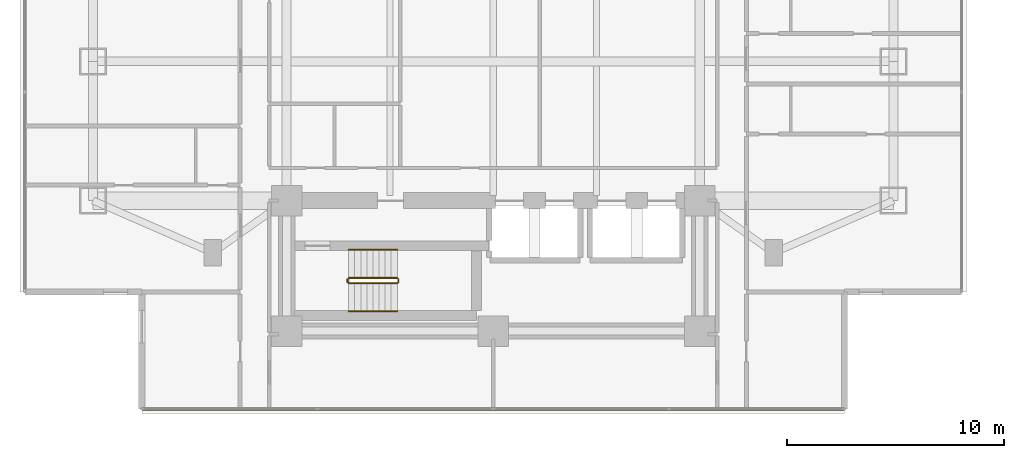
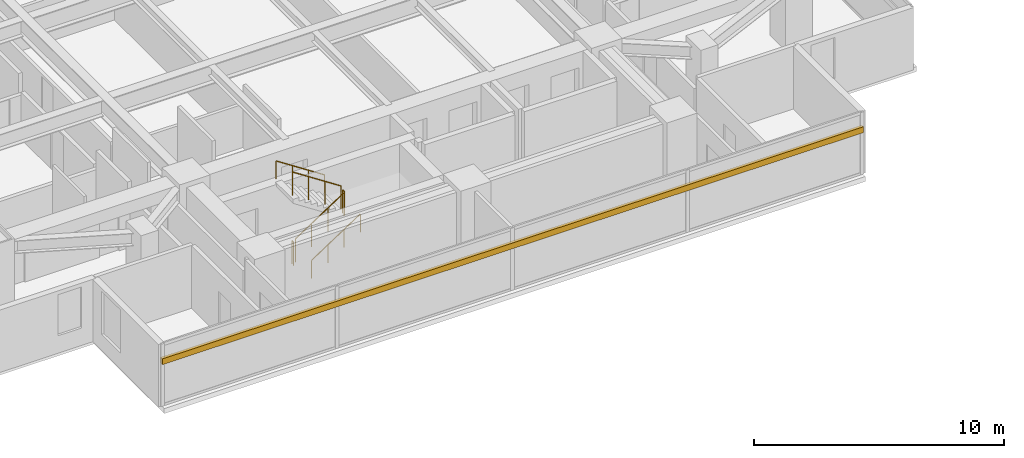
# One storey, part 19 of 23: 6 railings, 1 shading device.
"""IFC4 building model written with IfcOpenShell, lengths in metres."""

from ifc_helpers import new_model, si_unit, direction, frame, origin, origin_2d, place, context, subcontext, project, spatial, rectangle, circle, extrude, material, material_profile, profile_set, type_object, element, save


model = new_model("IFC4")

# Units and contexts
model_context = context("Model", 3, precision=1e-05, world=origin(), true_north=direction((0.0, 1.0)))
body_context = subcontext(model_context, "Body", "Model", "MODEL_VIEW")
ifc_project = project(units=[si_unit("LENGTHUNIT", "METRE"), si_unit("AREAUNIT", "SQUARE_METRE"), si_unit("VOLUMEUNIT", "CUBIC_METRE"), si_unit("PLANEANGLEUNIT", "RADIAN"), si_unit("MASSUNIT", "GRAM", prefix="KILO")], contexts=[model_context])

# Site, building, storey
site_placement = place(None, origin())
site = spatial("IfcSite", under=ifc_project, at=site_placement, CompositionType="ELEMENT")
building_placement = place(site_placement, origin())
building = spatial("IfcBuilding", under=site, at=building_placement, Name="Mirazonda Arch Towers", CompositionType="ELEMENT")
storey_placement = place(building_placement, frame((0.0, 0.0, 29.0)))
storey = spatial("IfcBuildingStorey", under=building, at=storey_placement, Name="L07", CompositionType="ELEMENT", Elevation=29.0)

# Shading device
ifc_material_1 = material(Name="Kiln-Fired Architectural Terracotta", Category="masonry")
ifc_material_profile = material_profile(ifc_material_1, rectangle(XDim=0.139892578125, YDim=0.280029296875, at=origin_2d()), Name="TERRA-BAG-140x280")
ifc_profile_set = profile_set([ifc_material_profile], Name="Kiln-Fired Architectural Terracotta")
shading_device_type = type_object("IfcShadingDeviceType", Name="BAGUETTE-3", PredefinedType="USERDEFINED", material=ifc_profile_set)
shading_device_placement = place(storey_placement, frame((36.659912109375, 8.823974609375, 2.188720703125), z_axis=(-1.0, 0.0, 0.0), x_axis=(0.0, -1.0, 0.0)))
element("IfcShadingDevice", 1, at=shading_device_placement, inside=storey, type_object=shading_device_type, Name="L07 Glazed Terracotta Sun-Screen Baguette CW-L07-T1-S", ObjectType="BAGUETTE", PredefinedType="USERDEFINED", context=body_context, shape_type="SweptSolid", body=[
    extrude(rectangle(XDim=0.139892578125, YDim=0.280029296875, at=origin_2d()), origin(), (0.0, 0.0, 1.0), 32.31982421875),
])

# Railings
ifc_material_2 = material(Name="Architectural Brushed Steel S355", Category="steel")
railing_type_1 = type_object("IfcRailingType", Name="GUARD-STAIR-1120", PredefinedType="GUARDRAIL", material=ifc_material_2)
railing_1_placement = place(storey_placement, frame((13.85009765625, 14.60009765625, 0.183349609375)))
element("IfcRailing", 2, at=railing_1_placement, inside=storey, type_object=railing_type_1, Name="L07 ST-T1S stair guard 1", PredefinedType="GUARDRAIL", context=body_context, shape_type="SweptSolid", body=[
    extrude(circle(Radius=0.02392578125, at=origin_2d()), frame((0.0, 0.0, 1.1259765625), z_axis=(0.836636935527, 0.0, 0.547757827979), x_axis=(0.0, 1.0, 0.0)), (0.0, 0.0, 1.0), 2.677490234375),
    extrude(circle(Radius=0.02099609375, at=origin_2d()), origin(), (0.0, 0.0, 1.0), 1.101806640625),
    extrude(circle(Radius=0.02099609375, at=origin_2d()), frame((0.74658203125, 0.0, 0.48876953125)), (0.0, 0.0, 1.0), 1.101806640625),
    extrude(circle(Radius=0.02099609375, at=origin_2d()), frame((1.493408203125, 0.0, 0.977783203125)), (0.0, 0.0, 1.0), 1.101806640625),
    extrude(circle(Radius=0.02099609375, at=origin_2d()), frame((2.239990234375, 0.0, 1.466552734375)), (0.0, 0.0, 1.0), 1.101806640625),
])
railing_2_placement = place(storey_placement, frame((16.139892578125, 14.64990234375, 1.64990234375)))
element("IfcRailing", 3, at=railing_2_placement, inside=storey, type_object=railing_type_1, Name="L07 ST-T1S stair guard 2", PredefinedType="GUARDRAIL", context=body_context, shape_type="SweptSolid", body=[
    extrude(circle(Radius=0.02392578125, at=origin_2d()), frame((0.0, 0.0, 1.1259765625), z_axis=(0.0, 1.0, 0.0), x_axis=(-1.0, 0.0, 0.0)), (0.0, 0.0, 1.0), 0.14013671875),
    extrude(circle(Radius=0.02099609375, at=origin_2d()), origin(), (0.0, 0.0, 1.0), 1.101806640625),
    extrude(circle(Radius=0.02099609375, at=origin_2d()), frame((0.0, 0.14013671875, 0.0)), (0.0, 0.0, 1.0), 1.101806640625),
])
railing_3_placement = place(storey_placement, frame((16.090087890625, 14.840087890625, 1.833251953125)))
element("IfcRailing", 4, at=railing_3_placement, inside=storey, type_object=railing_type_1, Name="L07 ST-T1S stair guard 3", PredefinedType="GUARDRAIL", context=body_context, shape_type="SweptSolid", body=[
    extrude(circle(Radius=0.02392578125, at=origin_2d()), frame((0.0, 0.0, 1.1259765625), z_axis=(-0.836595146698, 0.0, 0.547821650285), x_axis=(0.0, -1.0, 0.0)), (0.0, 0.0, 1.0), 2.677490234375),
    extrude(circle(Radius=0.02099609375, at=origin_2d()), origin(), (0.0, 0.0, 1.0), 1.101806640625),
    extrude(circle(Radius=0.02099609375, at=origin_2d()), frame((-0.74658203125, 0.0, 0.489013671875)), (0.0, 0.0, 1.0), 1.101806640625),
    extrude(circle(Radius=0.02099609375, at=origin_2d()), frame((-1.493408203125, 0.0, 0.977783203125)), (0.0, 0.0, 1.0), 1.101806640625),
    extrude(circle(Radius=0.02099609375, at=origin_2d()), frame((-2.239990234375, 0.0, 1.466796875)), (0.0, 0.0, 1.0), 1.101806640625),
])
railing_4_placement = place(storey_placement, frame((13.800048828125, 14.64990234375, 0.0)))
element("IfcRailing", 5, at=railing_4_placement, inside=storey, type_object=railing_type_1, Name="L07 ST-T1S stair guard 4", PredefinedType="GUARDRAIL", context=body_context, shape_type="SweptSolid", body=[
    extrude(circle(Radius=0.02392578125, at=origin_2d()), frame((0.0, 0.0, 1.1259765625), z_axis=(0.0, 1.0, 0.0), x_axis=(-1.0, 0.0, 0.0)), (0.0, 0.0, 1.0), 0.14013671875),
    extrude(circle(Radius=0.02099609375, at=origin_2d()), origin(), (0.0, 0.0, 1.0), 1.101806640625),
    extrude(circle(Radius=0.02099609375, at=origin_2d()), frame((0.0, 0.14013671875, 0.0)), (0.0, 0.0, 1.0), 1.101806640625),
])
railing_type_2 = type_object("IfcRailingType", Name="HANDRAIL-915", PredefinedType="HANDRAIL", material=ifc_material_2)
railing_5_placement = place(storey_placement, frame((13.85009765625, 13.300048828125, 0.183349609375)))
element("IfcRailing", 6, at=railing_5_placement, inside=storey, type_object=railing_type_2, Name="L07 ST-T1S stair handrail 1", PredefinedType="HANDRAIL", context=body_context, shape_type="SweptSolid", body=[
    extrude(circle(Radius=0.02392578125, at=origin_2d()), frame((0.0, 0.0, 0.8759765625), z_axis=(0.836636935527, 0.0, 0.547757827979), x_axis=(0.0, 1.0, 0.0)), (0.0, 0.0, 1.0), 2.677490234375),
    extrude(circle(Radius=0.02099609375, at=origin_2d()), origin(), (0.0, 0.0, 1.0), 0.851806640625),
    extrude(circle(Radius=0.02099609375, at=origin_2d()), frame((0.74658203125, 0.0, 0.48876953125)), (0.0, 0.0, 1.0), 0.851806640625),
    extrude(circle(Radius=0.02099609375, at=origin_2d()), frame((1.493408203125, 0.0, 0.977783203125)), (0.0, 0.0, 1.0), 0.851806640625),
    extrude(circle(Radius=0.02099609375, at=origin_2d()), frame((2.239990234375, 0.0, 1.466552734375)), (0.0, 0.0, 1.0), 0.851806640625),
])
railing_6_placement = place(storey_placement, frame((16.090087890625, 16.139892578125, 1.833251953125)))
element("IfcRailing", 7, at=railing_6_placement, inside=storey, type_object=railing_type_2, Name="L07 ST-T1S stair handrail 2", PredefinedType="HANDRAIL", context=body_context, shape_type="SweptSolid", body=[
    extrude(circle(Radius=0.02392578125, at=origin_2d()), frame((0.0, 0.0, 0.8759765625), z_axis=(-0.836595146698, 0.0, 0.547821650285), x_axis=(0.0, -1.0, 0.0)), (0.0, 0.0, 1.0), 2.677490234375),
    extrude(circle(Radius=0.02099609375, at=origin_2d()), origin(), (0.0, 0.0, 1.0), 0.851806640625),
    extrude(circle(Radius=0.02099609375, at=origin_2d()), frame((-0.74658203125, 0.0, 0.489013671875)), (0.0, 0.0, 1.0), 0.851806640625),
    extrude(circle(Radius=0.02099609375, at=origin_2d()), frame((-1.493408203125, 0.0, 0.977783203125)), (0.0, 0.0, 1.0), 0.851806640625),
    extrude(circle(Radius=0.02099609375, at=origin_2d()), frame((-2.239990234375, 0.0, 1.466796875)), (0.0, 0.0, 1.0), 0.851806640625),
])

save(model, "model.ifc")
